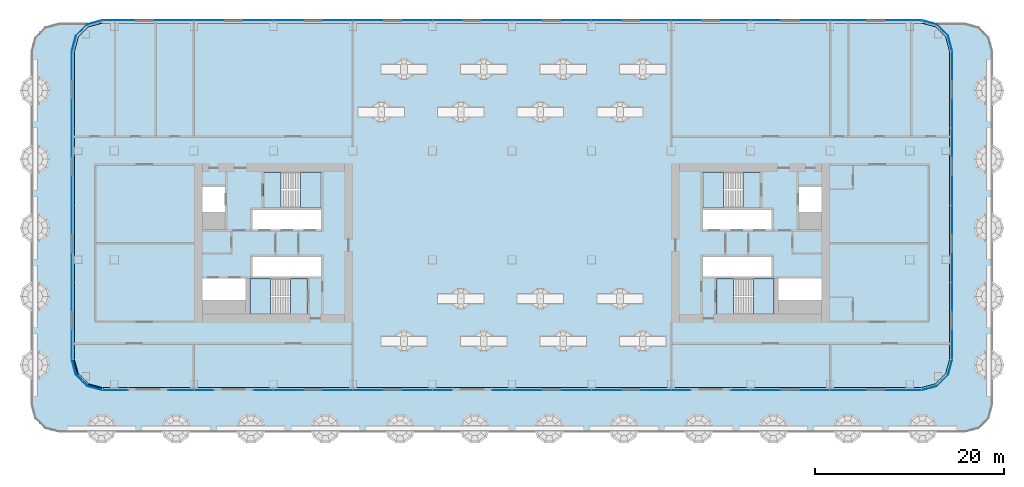
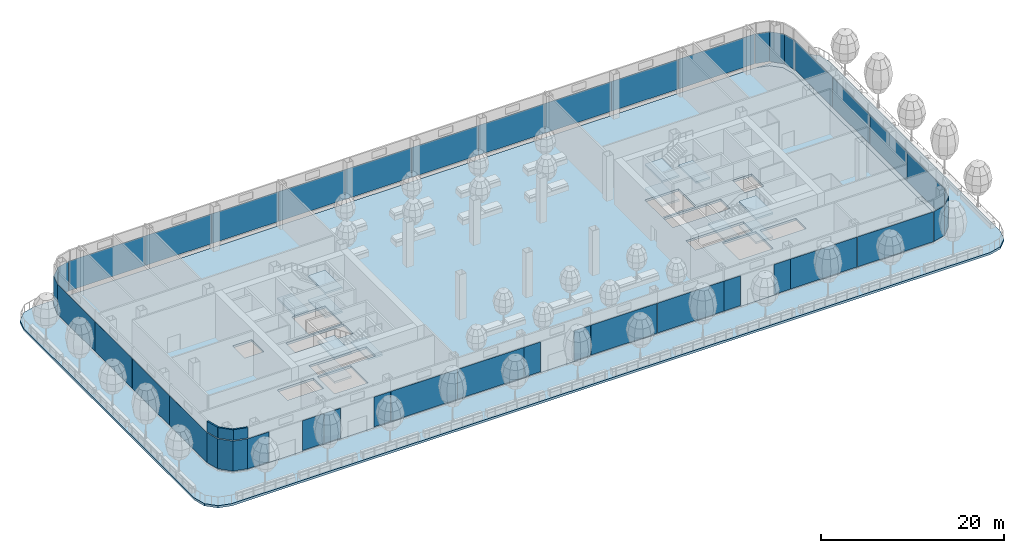
# One storey, part 11 of 44: 36 plates, 14 slabs, 3 walls, 12 elements without a shape of their own.
"""IFC4 building model written with IfcOpenShell, lengths in metres."""

from ifc_helpers import new_model, si_unit, direction, frame, frame_2d, origin, origin_2d, place, context, subcontext, project, spatial, polyline, rectangle, outline, extrude, material, layer, layer_set, type_object, element, aggregate, save


model = new_model("IFC4")

# Units and contexts
model_context = context("Model", 3, precision=1e-05, world=origin(), true_north=direction((0.0, 1.0)))
body_context = subcontext(model_context, "Body", "Model", "MODEL_VIEW")
ifc_project = project(units=[si_unit("LENGTHUNIT", "METRE"), si_unit("AREAUNIT", "SQUARE_METRE"), si_unit("VOLUMEUNIT", "CUBIC_METRE"), si_unit("PLANEANGLEUNIT", "RADIAN"), si_unit("MASSUNIT", "GRAM", prefix="KILO")], contexts=[model_context])

# Site, building, storey
site_placement = place(None, origin())
site = spatial("IfcSite", under=ifc_project, at=site_placement, CompositionType="ELEMENT")
building_placement = place(site_placement, origin())
building = spatial("IfcBuilding", under=site, at=building_placement, Name="Hakoniwa Tower and Hamabe Station Hall", CompositionType="ELEMENT")
storey_placement = place(building_placement, frame((0.0, 0.0, 69.0)))
storey = spatial("IfcBuildingStorey", under=building, at=storey_placement, Name="L19", CompositionType="ELEMENT", Elevation=69.0)

# Stair, slabs
ifc_material_1 = material(Name="Concrete C40", Category="concrete")
stair_type = type_object("IfcStairType", Name="ESCAPE STAIR 1800", PredefinedType="HALF_TURN_STAIR", material=ifc_material_1)
stair_1_placement = place(storey_placement, origin())
stair_1 = element("IfcStair", 1, at=stair_1_placement, inside=storey, type_object=stair_type, Name="Escape stair ST-1 L19", PredefinedType="HALF_TURN_STAIR")
ifc_material_2 = material(Name="Concrete C40", Category="concrete")
ifc_layer_1 = layer(ifc_material_2, 0.25)
ifc_layer_set_1 = layer_set([ifc_layer_1], Name="CORE STAIR LANDING 250")
slab_type_1 = type_object("IfcSlabType", Name="CORE STAIR LANDING 250", PredefinedType="LANDING", material=ifc_layer_set_1)
slab_1_placement = place(storey_placement, frame((0.0, 0.0, 1.35009765625)))
slab_1 = element("IfcSlab", 2, at=slab_1_placement, type_object=slab_type_1, Name="ST-1 landing 1", PredefinedType="LANDING", context=body_context, shape_type="SweptSolid", body=[
    extrude(outline(polyline([(-22.320068359375, 3.75), (-20.14990234375, 3.75), (-20.14990234375, 7.5), (-22.320068359375, 7.5), (-22.320068359375, 3.75)])), origin(), (0.0, 0.0, 1.0), 0.25),
])
slab_2_placement = place(storey_placement, frame((0.0, 0.0, 2.949951171875)))
slab_2 = element("IfcSlab", 3, at=slab_2_placement, type_object=slab_type_1, Name="ST-1 landing 2", PredefinedType="LANDING", context=body_context, shape_type="SweptSolid", body=[
    extrude(outline(polyline([(-26.199951171875, 3.75), (-24.39990234375, 3.75), (-24.39990234375, 7.5), (-26.199951171875, 7.5), (-26.199951171875, 3.75)])), origin(), (0.0, 0.0, 1.0), 0.25),
])
slab_3_placement = place(storey_placement, frame((0.0, 0.0, 4.550048828125)))
slab_3 = element("IfcSlab", 4, at=slab_3_placement, type_object=slab_type_1, Name="ST-1 landing 3", PredefinedType="LANDING", context=body_context, shape_type="SweptSolid", body=[
    extrude(outline(polyline([(-22.320068359375, 3.75), (-20.14990234375, 3.75), (-20.14990234375, 7.5), (-22.320068359375, 7.5), (-22.320068359375, 3.75)])), origin(), (0.0, 0.0, 1.0), 0.25),
])
aggregate(stair_1, [slab_1, slab_2, slab_3])

stair_2_placement = place(storey_placement, origin())
stair_2 = element("IfcStair", 5, at=stair_2_placement, inside=storey, type_object=stair_type, Name="Escape stair ST-2 L19", PredefinedType="HALF_TURN_STAIR")
slab_4_placement = place(storey_placement, frame((0.0, 0.0, 1.35009765625)))
slab_4 = element("IfcSlab", 6, at=slab_4_placement, type_object=slab_type_1, Name="ST-2 landing 1", PredefinedType="LANDING", context=body_context, shape_type="SweptSolid", body=[
    extrude(outline(polyline([(-25.47998046875, -7.5), (-27.64990234375, -7.5), (-27.64990234375, -3.75), (-25.47998046875, -3.75), (-25.47998046875, -7.5)])), origin(), (0.0, 0.0, 1.0), 0.25),
])
slab_5_placement = place(storey_placement, frame((0.0, 0.0, 2.949951171875)))
slab_5 = element("IfcSlab", 7, at=slab_5_placement, type_object=slab_type_1, Name="ST-2 landing 2", PredefinedType="LANDING", context=body_context, shape_type="SweptSolid", body=[
    extrude(outline(polyline([(-21.60009765625, -7.5), (-23.39990234375, -7.5), (-23.39990234375, -3.75), (-21.60009765625, -3.75), (-21.60009765625, -7.5)])), origin(), (0.0, 0.0, 1.0), 0.25),
])
slab_6_placement = place(storey_placement, frame((0.0, 0.0, 4.550048828125)))
slab_6 = element("IfcSlab", 8, at=slab_6_placement, type_object=slab_type_1, Name="ST-2 landing 3", PredefinedType="LANDING", context=body_context, shape_type="SweptSolid", body=[
    extrude(outline(polyline([(-25.47998046875, -7.5), (-27.64990234375, -7.5), (-27.64990234375, -3.75), (-25.47998046875, -3.75), (-25.47998046875, -7.5)])), origin(), (0.0, 0.0, 1.0), 0.25),
])
aggregate(stair_2, [slab_4, slab_5, slab_6])

stair_3_placement = place(storey_placement, origin())
stair_3 = element("IfcStair", 9, at=stair_3_placement, inside=storey, type_object=stair_type, Name="Escape stair ST-3 L19", PredefinedType="HALF_TURN_STAIR")
slab_7_placement = place(storey_placement, frame((0.0, 0.0, 1.35009765625)))
slab_7 = element("IfcSlab", 10, at=slab_7_placement, type_object=slab_type_1, Name="ST-3 landing 1", PredefinedType="LANDING", context=body_context, shape_type="SweptSolid", body=[
    extrude(outline(polyline([(22.320068359375, 3.75), (20.14990234375, 3.75), (20.14990234375, 7.5), (22.320068359375, 7.5), (22.320068359375, 3.75)])), origin(), (0.0, 0.0, 1.0), 0.25),
])
slab_8_placement = place(storey_placement, frame((0.0, 0.0, 2.949951171875)))
slab_8 = element("IfcSlab", 11, at=slab_8_placement, type_object=slab_type_1, Name="ST-3 landing 2", PredefinedType="LANDING", context=body_context, shape_type="SweptSolid", body=[
    extrude(outline(polyline([(26.199951171875, 3.75), (24.39990234375, 3.75), (24.39990234375, 7.5), (26.199951171875, 7.5), (26.199951171875, 3.75)])), origin(), (0.0, 0.0, 1.0), 0.25),
])
slab_9_placement = place(storey_placement, frame((0.0, 0.0, 4.550048828125)))
slab_9 = element("IfcSlab", 12, at=slab_9_placement, type_object=slab_type_1, Name="ST-3 landing 3", PredefinedType="LANDING", context=body_context, shape_type="SweptSolid", body=[
    extrude(outline(polyline([(22.320068359375, 3.75), (20.14990234375, 3.75), (20.14990234375, 7.5), (22.320068359375, 7.5), (22.320068359375, 3.75)])), origin(), (0.0, 0.0, 1.0), 0.25),
])
aggregate(stair_3, [slab_7, slab_8, slab_9])

stair_4_placement = place(storey_placement, origin())
stair_4 = element("IfcStair", 13, at=stair_4_placement, inside=storey, type_object=stair_type, Name="Escape stair ST-4 L19", PredefinedType="HALF_TURN_STAIR")
slab_10_placement = place(storey_placement, frame((0.0, 0.0, 1.35009765625)))
slab_10 = element("IfcSlab", 14, at=slab_10_placement, type_object=slab_type_1, Name="ST-4 landing 1", PredefinedType="LANDING", context=body_context, shape_type="SweptSolid", body=[
    extrude(outline(polyline([(25.47998046875, -7.5), (27.64990234375, -7.5), (27.64990234375, -3.75), (25.47998046875, -3.75), (25.47998046875, -7.5)])), origin(), (0.0, 0.0, 1.0), 0.25),
])
slab_11_placement = place(storey_placement, frame((0.0, 0.0, 2.949951171875)))
slab_11 = element("IfcSlab", 15, at=slab_11_placement, type_object=slab_type_1, Name="ST-4 landing 2", PredefinedType="LANDING", context=body_context, shape_type="SweptSolid", body=[
    extrude(outline(polyline([(21.60009765625, -7.5), (23.39990234375, -7.5), (23.39990234375, -3.75), (21.60009765625, -3.75), (21.60009765625, -7.5)])), origin(), (0.0, 0.0, 1.0), 0.25),
])
slab_12_placement = place(storey_placement, frame((0.0, 0.0, 4.550048828125)))
slab_12 = element("IfcSlab", 16, at=slab_12_placement, type_object=slab_type_1, Name="ST-4 landing 3", PredefinedType="LANDING", context=body_context, shape_type="SweptSolid", body=[
    extrude(outline(polyline([(25.47998046875, -7.5), (27.64990234375, -7.5), (27.64990234375, -3.75), (25.47998046875, -3.75), (25.47998046875, -7.5)])), origin(), (0.0, 0.0, 1.0), 0.25),
])
aggregate(stair_4, [slab_10, slab_11, slab_12])

# Curtain wall, plates
ifc_material_3 = material(Name="Dark low-e laminated glass", Category="glass")
ifc_layer_2 = layer(ifc_material_3, 0.199951171875)
ifc_layer_set_2 = layer_set([ifc_layer_2], Name="CW-2 SKY GARDEN")
curtain_wall_type = type_object("IfcCurtainWallType", Name="CW-2 SKY GARDEN", PredefinedType="NOTDEFINED", material=ifc_layer_set_2)
curtain_wall_1_placement = place(storey_placement, origin())
curtain_wall_1 = element("IfcCurtainWall", 17, at=curtain_wall_1_placement, inside=storey, type_object=curtain_wall_type, Name="CW-2 curtain wall", PredefinedType="NOTDEFINED")
ifc_material_4 = material(Name="Dark low-e laminated glass", Category="glass")
ifc_layer_3 = layer(ifc_material_4, 0.031982421875)
ifc_layer_set_3 = layer_set([ifc_layer_3], Name="CW-2 GARDEN GLASS UNIT")
plate_type = type_object("IfcPlateType", Name="CW-2 GARDEN GLASS UNIT", PredefinedType="CURTAIN_PANEL", material=ifc_layer_set_3)
plate_1_placement = place(storey_placement, frame((46.486083984375, -8.217041015625, 0.35009765625), z_axis=(0.0, 0.0, 1.0), x_axis=(0.0, 1.0, 0.0)))
plate_1 = element("IfcPlate", 18, at=plate_1_placement, type_object=plate_type, Name="CW-2 glass unit", PredefinedType="CURTAIN_PANEL", context=body_context, shape_type="SweptSolid", body=[
    extrude(rectangle(XDim=8.124755859375, YDim=0.031982421875, at=origin_2d()), origin(), (0.0, 0.0, 1.0), 3.97998046875),
])
plate_2_placement = place(storey_placement, frame((46.486083984375, -0.072265625, 0.35009765625), z_axis=(0.0, 0.0, 1.0), x_axis=(0.0, 1.0, 0.0)))
plate_2 = element("IfcPlate", 19, at=plate_2_placement, type_object=plate_type, Name="CW-2 glass unit", PredefinedType="CURTAIN_PANEL", context=body_context, shape_type="SweptSolid", body=[
    extrude(rectangle(XDim=8.124755859375, YDim=0.031982421875, at=origin_2d()), origin(), (0.0, 0.0, 1.0), 3.97998046875),
])
plate_3_placement = place(storey_placement, frame((46.486083984375, 8.072265625, 0.35009765625), z_axis=(0.0, 0.0, 1.0), x_axis=(0.0, 1.0, 0.0)))
plate_3 = element("IfcPlate", 20, at=plate_3_placement, type_object=plate_type, Name="CW-2 glass unit", PredefinedType="CURTAIN_PANEL", context=body_context, shape_type="SweptSolid", body=[
    extrude(rectangle(XDim=8.124755859375, YDim=0.031982421875, at=origin_2d()), origin(), (0.0, 0.0, 1.0), 3.97998046875),
])
plate_4_placement = place(storey_placement, frame((46.486083984375, 16.217041015625, 0.35009765625), z_axis=(0.0, 0.0, 1.0), x_axis=(0.0, 1.0, 0.0)))
plate_4 = element("IfcPlate", 21, at=plate_4_placement, type_object=plate_type, Name="CW-2 glass unit", PredefinedType="CURTAIN_PANEL", context=body_context, shape_type="SweptSolid", body=[
    extrude(rectangle(XDim=8.124755859375, YDim=0.031982421875, at=origin_2d()), origin(), (0.0, 0.0, 1.0), 3.97998046875),
])
aggregate(curtain_wall_1, [plate_1, plate_2, plate_3, plate_4])

# Curtain wall, plate
curtain_wall_2_placement = place(storey_placement, origin())
curtain_wall_2 = element("IfcCurtainWall", 22, at=curtain_wall_2_placement, inside=storey, type_object=curtain_wall_type, Name="CW-2 curtain wall", PredefinedType="NOTDEFINED")
plate_5_placement = place(storey_placement, frame((0.0, 0.0, 0.35009765625)))
plate_5 = element("IfcPlate", 23, at=plate_5_placement, type_object=plate_type, Name="CW-2 curved corner unit", PredefinedType="CURTAIN_PANEL", context=body_context, shape_type="SweptSolid", body=[
    extrude(outline(polyline([(46.48974609375, 20.328125), (46.067138671875, 21.9052734375), (44.855224609375, 23.116943359375), (43.278076171875, 23.53955078125), (43.27099609375, 23.5126953125), (44.8408203125, 23.092041015625), (46.0419921875, 21.890869140625), (46.462646484375, 20.32080078125), (46.48974609375, 20.328125)])), origin(), (0.0, 0.0, 1.0), 3.97998046875),
])
aggregate(curtain_wall_2, [plate_5])

# Curtain wall, plates
curtain_wall_3_placement = place(storey_placement, origin())
curtain_wall_3 = element("IfcCurtainWall", 24, at=curtain_wall_3_placement, inside=storey, type_object=curtain_wall_type, Name="CW-2 curtain wall", PredefinedType="NOTDEFINED")
plate_6_placement = place(storey_placement, frame((38.419677734375, 23.535888671875, 0.35009765625), z_axis=(0.0, 0.0, 1.0), x_axis=(-1.0, 0.0, 0.0)))
plate_6 = element("IfcPlate", 25, at=plate_6_placement, type_object=plate_type, Name="CW-2 glass unit", PredefinedType="CURTAIN_PANEL", context=body_context, shape_type="SweptSolid", body=[
    extrude(rectangle(XDim=9.619384765625, YDim=0.031982421875, at=origin_2d()), origin(), (0.0, 0.0, 1.0), 3.97998046875),
])
plate_7_placement = place(storey_placement, frame((29.39990234375, 23.535888671875, 0.35009765625), z_axis=(0.0, 0.0, 1.0), x_axis=(-1.0, 0.0, 0.0)))
plate_7 = element("IfcPlate", 26, at=plate_7_placement, type_object=plate_type, Name="CW-2 glass unit", PredefinedType="CURTAIN_PANEL", context=body_context, shape_type="SweptSolid", body=[
    extrude(rectangle(XDim=8.3798828125, YDim=0.031982421875, at=origin_2d()), origin(), (0.0, 0.0, 1.0), 3.97998046875),
])
plate_8_placement = place(storey_placement, frame((21.0, 23.535888671875, 0.35009765625), z_axis=(0.0, 0.0, 1.0), x_axis=(-1.0, 0.0, 0.0)))
plate_8 = element("IfcPlate", 27, at=plate_8_placement, type_object=plate_type, Name="CW-2 glass unit", PredefinedType="CURTAIN_PANEL", context=body_context, shape_type="SweptSolid", body=[
    extrude(rectangle(XDim=8.3798828125, YDim=0.031982421875, at=origin_2d()), origin(), (0.0, 0.0, 1.0), 3.97998046875),
])
plate_9_placement = place(storey_placement, frame((12.60009765625, 23.535888671875, 0.35009765625), z_axis=(0.0, 0.0, 1.0), x_axis=(-1.0, 0.0, 0.0)))
plate_9 = element("IfcPlate", 28, at=plate_9_placement, type_object=plate_type, Name="CW-2 glass unit", PredefinedType="CURTAIN_PANEL", context=body_context, shape_type="SweptSolid", body=[
    extrude(rectangle(XDim=8.3798828125, YDim=0.031982421875, at=origin_2d()), origin(), (0.0, 0.0, 1.0), 3.97998046875),
])
plate_10_placement = place(storey_placement, frame((4.199951171875, 23.535888671875, 0.35009765625), z_axis=(0.0, 0.0, 1.0), x_axis=(-1.0, 0.0, 0.0)))
plate_10 = element("IfcPlate", 29, at=plate_10_placement, type_object=plate_type, Name="CW-2 glass unit", PredefinedType="CURTAIN_PANEL", context=body_context, shape_type="SweptSolid", body=[
    extrude(rectangle(XDim=8.3798828125, YDim=0.031982421875, at=origin_2d()), origin(), (0.0, 0.0, 1.0), 3.97998046875),
])
plate_11_placement = place(storey_placement, frame((-4.199951171875, 23.535888671875, 0.35009765625), z_axis=(0.0, 0.0, 1.0), x_axis=(-1.0, 0.0, 0.0)))
plate_11 = element("IfcPlate", 30, at=plate_11_placement, type_object=plate_type, Name="CW-2 glass unit", PredefinedType="CURTAIN_PANEL", context=body_context, shape_type="SweptSolid", body=[
    extrude(rectangle(XDim=8.3798828125, YDim=0.031982421875, at=origin_2d()), origin(), (0.0, 0.0, 1.0), 3.97998046875),
])
plate_12_placement = place(storey_placement, frame((-12.60009765625, 23.535888671875, 0.35009765625), z_axis=(0.0, 0.0, 1.0), x_axis=(-1.0, 0.0, 0.0)))
plate_12 = element("IfcPlate", 31, at=plate_12_placement, type_object=plate_type, Name="CW-2 glass unit", PredefinedType="CURTAIN_PANEL", context=body_context, shape_type="SweptSolid", body=[
    extrude(rectangle(XDim=8.3798828125, YDim=0.031982421875, at=origin_2d()), origin(), (0.0, 0.0, 1.0), 3.97998046875),
])
plate_13_placement = place(storey_placement, frame((-21.0, 23.535888671875, 0.35009765625), z_axis=(0.0, 0.0, 1.0), x_axis=(-1.0, 0.0, 0.0)))
plate_13 = element("IfcPlate", 32, at=plate_13_placement, type_object=plate_type, Name="CW-2 glass unit", PredefinedType="CURTAIN_PANEL", context=body_context, shape_type="SweptSolid", body=[
    extrude(rectangle(XDim=8.3798828125, YDim=0.031982421875, at=origin_2d()), origin(), (0.0, 0.0, 1.0), 3.97998046875),
])
plate_14_placement = place(storey_placement, frame((-29.39990234375, 23.535888671875, 0.35009765625), z_axis=(0.0, 0.0, 1.0), x_axis=(-1.0, 0.0, 0.0)))
plate_14 = element("IfcPlate", 33, at=plate_14_placement, type_object=plate_type, Name="CW-2 glass unit", PredefinedType="CURTAIN_PANEL", context=body_context, shape_type="SweptSolid", body=[
    extrude(rectangle(XDim=8.3798828125, YDim=0.031982421875, at=origin_2d()), origin(), (0.0, 0.0, 1.0), 3.97998046875),
])
plate_15_placement = place(storey_placement, frame((-38.419677734375, 23.535888671875, 0.35009765625), z_axis=(0.0, 0.0, 1.0), x_axis=(-1.0, 0.0, 0.0)))
plate_15 = element("IfcPlate", 34, at=plate_15_placement, type_object=plate_type, Name="CW-2 glass unit", PredefinedType="CURTAIN_PANEL", context=body_context, shape_type="SweptSolid", body=[
    extrude(rectangle(XDim=9.619384765625, YDim=0.031982421875, at=origin_2d()), origin(), (0.0, 0.0, 1.0), 3.97998046875),
])
aggregate(curtain_wall_3, [plate_6, plate_7, plate_8, plate_9, plate_10, plate_11, plate_12, plate_13, plate_14, plate_15])

# Curtain wall, plate
curtain_wall_4_placement = place(storey_placement, origin())
curtain_wall_4 = element("IfcCurtainWall", 35, at=curtain_wall_4_placement, inside=storey, type_object=curtain_wall_type, Name="CW-2 curtain wall", PredefinedType="NOTDEFINED")
plate_16_placement = place(storey_placement, frame((0.0, 0.0, 0.35009765625)))
plate_16 = element("IfcPlate", 36, at=plate_16_placement, type_object=plate_type, Name="CW-2 curved corner unit", PredefinedType="CURTAIN_PANEL", context=body_context, shape_type="SweptSolid", body=[
    extrude(outline(polyline([(-43.278076171875, 23.53955078125), (-44.855224609375, 23.116943359375), (-46.067138671875, 21.9052734375), (-46.48974609375, 20.328125), (-46.462646484375, 20.32080078125), (-46.0419921875, 21.890869140625), (-44.8408203125, 23.092041015625), (-43.27099609375, 23.5126953125), (-43.278076171875, 23.53955078125)])), origin(), (0.0, 0.0, 1.0), 3.97998046875),
])
aggregate(curtain_wall_4, [plate_16])

# Curtain wall, plates
curtain_wall_5_placement = place(storey_placement, origin())
curtain_wall_5 = element("IfcCurtainWall", 37, at=curtain_wall_5_placement, inside=storey, type_object=curtain_wall_type, Name="CW-2 curtain wall", PredefinedType="NOTDEFINED")
plate_17_placement = place(storey_placement, frame((-46.486083984375, 16.217041015625, 0.35009765625), z_axis=(0.0, 0.0, 1.0), x_axis=(0.0, -1.0, 0.0)))
plate_17 = element("IfcPlate", 38, at=plate_17_placement, type_object=plate_type, Name="CW-2 glass unit", PredefinedType="CURTAIN_PANEL", context=body_context, shape_type="SweptSolid", body=[
    extrude(rectangle(XDim=8.124755859375, YDim=0.031982421875, at=origin_2d()), origin(), (0.0, 0.0, 1.0), 3.97998046875),
])
plate_18_placement = place(storey_placement, frame((-46.486083984375, 8.072265625, 0.35009765625), z_axis=(0.0, 0.0, 1.0), x_axis=(0.0, -1.0, 0.0)))
plate_18 = element("IfcPlate", 39, at=plate_18_placement, type_object=plate_type, Name="CW-2 glass unit", PredefinedType="CURTAIN_PANEL", context=body_context, shape_type="SweptSolid", body=[
    extrude(rectangle(XDim=8.124755859375, YDim=0.031982421875, at=origin_2d()), origin(), (0.0, 0.0, 1.0), 3.97998046875),
])
plate_19_placement = place(storey_placement, frame((-46.486083984375, -0.072265625, 0.35009765625), z_axis=(0.0, 0.0, 1.0), x_axis=(0.0, -1.0, 0.0)))
plate_19 = element("IfcPlate", 40, at=plate_19_placement, type_object=plate_type, Name="CW-2 glass unit", PredefinedType="CURTAIN_PANEL", context=body_context, shape_type="SweptSolid", body=[
    extrude(rectangle(XDim=8.124755859375, YDim=0.031982421875, at=origin_2d()), origin(), (0.0, 0.0, 1.0), 3.97998046875),
])
plate_20_placement = place(storey_placement, frame((-46.486083984375, -8.217041015625, 0.35009765625), z_axis=(0.0, 0.0, 1.0), x_axis=(0.0, -1.0, 0.0)))
plate_20 = element("IfcPlate", 41, at=plate_20_placement, type_object=plate_type, Name="CW-2 glass unit", PredefinedType="CURTAIN_PANEL", context=body_context, shape_type="SweptSolid", body=[
    extrude(rectangle(XDim=8.124755859375, YDim=0.031982421875, at=origin_2d()), origin(), (0.0, 0.0, 1.0), 3.97998046875),
])
aggregate(curtain_wall_5, [plate_17, plate_18, plate_19, plate_20])

# Curtain wall, plate
curtain_wall_6_placement = place(storey_placement, origin())
curtain_wall_6 = element("IfcCurtainWall", 42, at=curtain_wall_6_placement, inside=storey, type_object=curtain_wall_type, Name="CW-2 curtain wall", PredefinedType="NOTDEFINED")
plate_21_placement = place(storey_placement, frame((0.0, 0.0, 0.35009765625)))
plate_21 = element("IfcPlate", 43, at=plate_21_placement, type_object=plate_type, Name="CW-2 curved corner unit", PredefinedType="CURTAIN_PANEL", context=body_context, shape_type="SweptSolid", body=[
    extrude(outline(polyline([(-46.48974609375, -12.328125), (-46.067138671875, -13.9052734375), (-44.855224609375, -15.116943359375), (-43.278076171875, -15.53955078125), (-43.27099609375, -15.5126953125), (-44.8408203125, -15.092041015625), (-46.0419921875, -13.890869140625), (-46.462646484375, -12.32080078125), (-46.48974609375, -12.328125)])), origin(), (0.0, 0.0, 1.0), 3.97998046875),
])

# Curtain wall, plates
curtain_wall_7_placement = place(storey_placement, origin())
curtain_wall_7 = element("IfcCurtainWall", 44, at=curtain_wall_7_placement, inside=storey, type_object=curtain_wall_type, Name="CW-2 curtain wall", PredefinedType="NOTDEFINED")
plate_22_placement = place(storey_placement, frame((-41.879638671875, -15.535888671875, 0.35009765625), z_axis=(0.0, 0.0, 1.0), x_axis=(1.0, 0.0, 0.0)))
plate_22 = element("IfcPlate", 45, at=plate_22_placement, type_object=plate_type, Name="CW-2 glass unit", PredefinedType="CURTAIN_PANEL", context=body_context, shape_type="SweptSolid", body=[
    extrude(rectangle(XDim=2.69970703125, YDim=0.031982421875, at=origin_2d()), origin(), (0.0, 0.0, 1.0), 3.97998046875),
])
plate_23_placement = place(storey_placement, frame((-34.9599609375, -15.535888671875, 0.35009765625), z_axis=(0.0, 0.0, 1.0), x_axis=(1.0, 0.0, 0.0)))
plate_23 = element("IfcPlate", 46, at=plate_23_placement, type_object=plate_type, Name="CW-2 glass unit", PredefinedType="CURTAIN_PANEL", context=body_context, shape_type="SweptSolid", body=[
    extrude(rectangle(XDim=2.69970703125, YDim=0.031982421875, at=origin_2d()), origin(), (0.0, 0.0, 1.0), 3.97998046875),
])
plate_24_placement = place(storey_placement, frame((-32.550048828125, -15.535888671875, 0.35009765625), z_axis=(0.0, 0.0, 1.0), x_axis=(1.0, 0.0, 0.0)))
plate_24 = element("IfcPlate", 47, at=plate_24_placement, type_object=plate_type, Name="CW-2 glass unit", PredefinedType="CURTAIN_PANEL", context=body_context, shape_type="SweptSolid", body=[
    extrude(rectangle(XDim=2.080078125, YDim=0.031982421875, at=origin_2d()), origin(), (0.0, 0.0, 1.0), 3.97998046875),
])
plate_25_placement = place(storey_placement, frame((-26.25, -15.535888671875, 0.35009765625), z_axis=(0.0, 0.0, 1.0), x_axis=(1.0, 0.0, 0.0)))
plate_25 = element("IfcPlate", 48, at=plate_25_placement, type_object=plate_type, Name="CW-2 glass unit", PredefinedType="CURTAIN_PANEL", context=body_context, shape_type="SweptSolid", body=[
    extrude(rectangle(XDim=2.080078125, YDim=0.031982421875, at=origin_2d()), origin(), (0.0, 0.0, 1.0), 3.97998046875),
])
plate_26_placement = place(storey_placement, frame((-21.0, -15.535888671875, 0.35009765625), z_axis=(0.0, 0.0, 1.0), x_axis=(1.0, 0.0, 0.0)))
plate_26 = element("IfcPlate", 49, at=plate_26_placement, type_object=plate_type, Name="CW-2 glass unit", PredefinedType="CURTAIN_PANEL", context=body_context, shape_type="SweptSolid", body=[
    extrude(rectangle(XDim=8.3798828125, YDim=0.031982421875, at=origin_2d()), origin(), (0.0, 0.0, 1.0), 3.97998046875),
])
plate_27_placement = place(storey_placement, frame((-12.60009765625, -15.535888671875, 0.35009765625), z_axis=(0.0, 0.0, 1.0), x_axis=(1.0, 0.0, 0.0)))
plate_27 = element("IfcPlate", 50, at=plate_27_placement, type_object=plate_type, Name="CW-2 glass unit", PredefinedType="CURTAIN_PANEL", context=body_context, shape_type="SweptSolid", body=[
    extrude(rectangle(XDim=8.3798828125, YDim=0.031982421875, at=origin_2d()), origin(), (0.0, 0.0, 1.0), 3.97998046875),
])
plate_28_placement = place(storey_placement, frame((-7.35009765625, -15.535888671875, 0.35009765625), z_axis=(0.0, 0.0, 1.0), x_axis=(1.0, 0.0, 0.0)))
plate_28 = element("IfcPlate", 51, at=plate_28_placement, type_object=plate_type, Name="CW-2 glass unit", PredefinedType="CURTAIN_PANEL", context=body_context, shape_type="SweptSolid", body=[
    extrude(rectangle(XDim=2.080078125, YDim=0.031982421875, at=origin_2d()), origin(), (0.0, 0.0, 1.0), 3.97998046875),
])
plate_29_placement = place(storey_placement, frame((-1.050048828125, -15.535888671875, 0.35009765625), z_axis=(0.0, 0.0, 1.0), x_axis=(1.0, 0.0, 0.0)))
plate_29 = element("IfcPlate", 52, at=plate_29_placement, type_object=plate_type, Name="CW-2 glass unit", PredefinedType="CURTAIN_PANEL", context=body_context, shape_type="SweptSolid", body=[
    extrude(rectangle(XDim=2.080078125, YDim=0.031982421875, at=origin_2d()), origin(), (0.0, 0.0, 1.0), 3.97998046875),
])
plate_30_placement = place(storey_placement, frame((4.199951171875, -15.535888671875, 0.35009765625), z_axis=(0.0, 0.0, 1.0), x_axis=(1.0, 0.0, 0.0)))
plate_30 = element("IfcPlate", 53, at=plate_30_placement, type_object=plate_type, Name="CW-2 glass unit", PredefinedType="CURTAIN_PANEL", context=body_context, shape_type="SweptSolid", body=[
    extrude(rectangle(XDim=8.3798828125, YDim=0.031982421875, at=origin_2d()), origin(), (0.0, 0.0, 1.0), 3.97998046875),
])
plate_31_placement = place(storey_placement, frame((12.60009765625, -15.535888671875, 0.35009765625), z_axis=(0.0, 0.0, 1.0), x_axis=(1.0, 0.0, 0.0)))
plate_31 = element("IfcPlate", 54, at=plate_31_placement, type_object=plate_type, Name="CW-2 glass unit", PredefinedType="CURTAIN_PANEL", context=body_context, shape_type="SweptSolid", body=[
    extrude(rectangle(XDim=8.3798828125, YDim=0.031982421875, at=origin_2d()), origin(), (0.0, 0.0, 1.0), 3.97998046875),
])
plate_32_placement = place(storey_placement, frame((17.85009765625, -15.535888671875, 0.35009765625), z_axis=(0.0, 0.0, 1.0), x_axis=(1.0, 0.0, 0.0)))
plate_32 = element("IfcPlate", 55, at=plate_32_placement, type_object=plate_type, Name="CW-2 glass unit", PredefinedType="CURTAIN_PANEL", context=body_context, shape_type="SweptSolid", body=[
    extrude(rectangle(XDim=2.080078125, YDim=0.031982421875, at=origin_2d()), origin(), (0.0, 0.0, 1.0), 3.97998046875),
])
plate_33_placement = place(storey_placement, frame((24.14990234375, -15.535888671875, 0.35009765625), z_axis=(0.0, 0.0, 1.0), x_axis=(1.0, 0.0, 0.0)))
plate_33 = element("IfcPlate", 56, at=plate_33_placement, type_object=plate_type, Name="CW-2 glass unit", PredefinedType="CURTAIN_PANEL", context=body_context, shape_type="SweptSolid", body=[
    extrude(rectangle(XDim=2.080078125, YDim=0.031982421875, at=origin_2d()), origin(), (0.0, 0.0, 1.0), 3.97998046875),
])
plate_34_placement = place(storey_placement, frame((29.39990234375, -15.535888671875, 0.35009765625), z_axis=(0.0, 0.0, 1.0), x_axis=(1.0, 0.0, 0.0)))
plate_34 = element("IfcPlate", 57, at=plate_34_placement, type_object=plate_type, Name="CW-2 glass unit", PredefinedType="CURTAIN_PANEL", context=body_context, shape_type="SweptSolid", body=[
    extrude(rectangle(XDim=8.3798828125, YDim=0.031982421875, at=origin_2d()), origin(), (0.0, 0.0, 1.0), 3.97998046875),
])
plate_35_placement = place(storey_placement, frame((38.419677734375, -15.535888671875, 0.35009765625), z_axis=(0.0, 0.0, 1.0), x_axis=(1.0, 0.0, 0.0)))
plate_35 = element("IfcPlate", 58, at=plate_35_placement, type_object=plate_type, Name="CW-2 glass unit", PredefinedType="CURTAIN_PANEL", context=body_context, shape_type="SweptSolid", body=[
    extrude(rectangle(XDim=9.619384765625, YDim=0.031982421875, at=origin_2d()), origin(), (0.0, 0.0, 1.0), 3.97998046875),
])
aggregate(curtain_wall_7, [plate_22, plate_23, plate_24, plate_25, plate_26, plate_27, plate_28, plate_29, plate_30, plate_31, plate_32, plate_33, plate_34, plate_35])

# Curtain wall, plate
curtain_wall_8_placement = place(storey_placement, origin())
curtain_wall_8 = element("IfcCurtainWall", 59, at=curtain_wall_8_placement, inside=storey, type_object=curtain_wall_type, Name="CW-2 curtain wall", PredefinedType="NOTDEFINED")
plate_36_placement = place(storey_placement, frame((0.0, 0.0, 0.35009765625)))
plate_36 = element("IfcPlate", 60, at=plate_36_placement, type_object=plate_type, Name="CW-2 curved corner unit", PredefinedType="CURTAIN_PANEL", context=body_context, shape_type="SweptSolid", body=[
    extrude(outline(polyline([(43.278076171875, -15.53955078125), (44.855224609375, -15.116943359375), (46.067138671875, -13.9052734375), (46.48974609375, -12.328125), (46.462646484375, -12.32080078125), (46.0419921875, -13.890869140625), (44.8408203125, -15.092041015625), (43.27099609375, -15.5126953125), (43.278076171875, -15.53955078125)])), origin(), (0.0, 0.0, 1.0), 3.97998046875),
])
aggregate(curtain_wall_8, [plate_36])

# Slabs
ifc_material_5 = material(Name="Concrete C40", Category="concrete")
ifc_layer_4 = layer(ifc_material_5, 0.300048828125)
ifc_layer_set_4 = layer_set([ifc_layer_4], Name="GARDEN FLOOR SLAB 300")
slab_type_2 = type_object("IfcSlabType", Name="GARDEN FLOOR SLAB 300", PredefinedType="FLOOR", material=ifc_layer_set_4)
slab_13_placement = place(storey_placement, frame((0.0, 0.0, -0.300048828125)))
element("IfcSlab", 61, at=slab_13_placement, inside=storey, type_object=slab_type_2, Name="Floor slab L19", PredefinedType="FLOOR", context=body_context, shape_type="SweptSolid", body=[
    extrude(outline(polyline([(46.199951171875, -12.25), (46.199951171875, 20.25), (45.798095703125, 21.75), (44.699951171875, 22.84814453125), (43.199951171875, 23.25), (-43.199951171875, 23.25), (-44.699951171875, 22.84814453125), (-45.798095703125, 21.75), (-46.199951171875, 20.25), (-46.199951171875, -12.25), (-45.798095703125, -13.75), (-44.699951171875, -14.84814453125), (-43.199951171875, -15.25), (43.199951171875, -15.25), (44.699951171875, -14.84814453125), (45.798095703125, -13.75), (46.199951171875, -12.25)]), holes=[polyline([(-27.39990234375, 1.449951171875), (-27.39990234375, 3.5), (-20.14990234375, 3.5), (-20.14990234375, 1.449951171875), (-27.39990234375, 1.449951171875)]), polyline([(-27.39990234375, -3.5), (-27.39990234375, -1.449951171875), (-20.14990234375, -1.449951171875), (-20.14990234375, -3.5), (-27.39990234375, -3.5)]), polyline([(-32.699951171875, 3.300048828125), (-32.699951171875, 5.949951171875), (-30.300048828125, 5.949951171875), (-30.300048828125, 3.300048828125), (-32.699951171875, 3.300048828125)]), polyline([(-32.699951171875, -6.0), (-32.699951171875, -3.75), (-28.14990234375, -3.75), (-28.14990234375, -6.0), (-32.699951171875, -6.0)]), polyline([(-24.389892578125, 3.75), (-24.389892578125, 7.5), (-20.14990234375, 7.5), (-20.14990234375, 3.75), (-24.389892578125, 3.75)]), polyline([(-27.64990234375, -7.5), (-27.64990234375, -3.75), (-23.409912109375, -3.75), (-23.409912109375, -7.5), (-27.64990234375, -7.5)]), polyline([(20.14990234375, 1.449951171875), (20.14990234375, 3.5), (27.39990234375, 3.5), (27.39990234375, 1.449951171875), (20.14990234375, 1.449951171875)]), polyline([(20.14990234375, -3.5), (20.14990234375, -1.449951171875), (27.39990234375, -1.449951171875), (27.39990234375, -3.5), (20.14990234375, -3.5)]), polyline([(30.300048828125, 3.300048828125), (30.300048828125, 5.949951171875), (32.699951171875, 5.949951171875), (32.699951171875, 3.300048828125), (30.300048828125, 3.300048828125)]), polyline([(28.14990234375, -6.0), (28.14990234375, -3.75), (32.699951171875, -3.75), (32.699951171875, -6.0), (28.14990234375, -6.0)]), polyline([(20.14990234375, 3.75), (20.14990234375, 7.5), (24.389892578125, 7.5), (24.389892578125, 3.75), (20.14990234375, 3.75)]), polyline([(23.409912109375, -7.5), (23.409912109375, -3.75), (27.64990234375, -3.75), (27.64990234375, -7.5), (23.409912109375, -7.5)])]), origin(), (0.0, 0.0, 1.0), 0.300048828125),
])
ifc_material_6 = material(Name="Concrete C40", Category="concrete")
ifc_layer_5 = layer(ifc_material_6, 0.300048828125)
ifc_layer_set_5 = layer_set([ifc_layer_5], Name="TERRACE SLAB 300")
slab_type_3 = type_object("IfcSlabType", Name="TERRACE SLAB 300", PredefinedType="FLOOR", material=ifc_layer_set_5)
slab_14_placement = place(storey_placement, frame((0.0, 0.0, -0.300048828125)))
element("IfcSlab", 62, at=slab_14_placement, inside=storey, type_object=slab_type_3, Name="Terrace slab L19-1", PredefinedType="FLOOR", context=body_context, shape_type="SweptSolid", body=[
    extrude(outline(polyline([(-45.798095703125, -13.75), (-46.199951171875, -12.25), (-46.199951171875, 20.25), (-45.798095703125, 21.75), (-44.699951171875, 22.84814453125), (-43.20361328125, 23.2490234375), (-43.202880859375, 23.25), (-43.203857421875, 23.2509765625), (-47.800048828125, 23.2509765625), (-49.30029296875, 22.84912109375), (-50.39892578125, 21.75048828125), (-50.801025390625, 20.250244140625), (-50.801025390625, -17.0), (-50.39892578125, -18.50048828125), (-49.300537109375, -19.59912109375), (-47.800048828125, -20.0009765625), (47.800048828125, -20.0009765625), (49.30029296875, -19.59912109375), (50.39892578125, -18.50048828125), (50.801025390625, -17.0), (50.801025390625, 20.25), (50.39892578125, 21.75048828125), (49.300537109375, 22.848876953125), (47.80029296875, 23.2509765625), (43.203857421875, 23.2509765625), (43.202880859375, 23.250244140625), (43.20361328125, 23.2490234375), (44.699951171875, 22.84814453125), (45.798095703125, 21.75), (46.199951171875, 20.25), (46.199951171875, -12.25), (45.798095703125, -13.75), (44.699951171875, -14.84814453125), (43.199951171875, -15.25), (-43.199951171875, -15.25), (-44.699951171875, -14.84814453125), (-45.798095703125, -13.75)])), origin(), (0.0, 0.0, 1.0), 0.300048828125),
])

# Wall
ifc_material_7 = material(Name="Dark glass-faced aluminium panel", Category="aluminium")
ifc_layer_6 = layer(ifc_material_7, 0.199951171875)
ifc_layer_set_6 = layer_set([ifc_layer_6], Name="VENT BAND WALL")
wall_type = type_object("IfcWallType", Name="VENT BAND WALL", PredefinedType="NOTDEFINED", material=ifc_layer_set_6)
wall_1_placement = place(storey_placement, frame((-46.395751953125, -12.29248046875, 4.449951171875), z_axis=(0.0, 0.0, 1.0), x_axis=(0.258864833081, -0.965913556274, 0.0)))
wall_1 = element("IfcWall", 63, at=wall_1_placement, type_object=wall_type, Name="Vent band wall", PredefinedType="NOTDEFINED", context=body_context, shape_type="SweptSolid", body=[
    extrude(rectangle(XDim=1.642822265625, YDim=0.199951171875, at=frame_2d((0.8212890625, 0.0))), origin(), (0.0, 0.0, 1.0), 1.400146484375),
])

wall_2_placement = place(storey_placement, frame((-45.970458984375, -13.87939453125, 4.449951171875), z_axis=(0.0, 0.0, 1.0), x_axis=(0.707106781187, -0.707106781187, 0.0)))
wall_2 = element("IfcWall", 64, at=wall_2_placement, type_object=wall_type, Name="Vent band wall", PredefinedType="NOTDEFINED", context=body_context, shape_type="SweptSolid", body=[
    extrude(rectangle(XDim=1.713623046875, YDim=0.199951171875, at=frame_2d((0.85693359375, 0.0))), origin(), (0.0, 0.0, 1.0), 1.400146484375),
])

wall_3_placement = place(storey_placement, frame((-44.78466796875, -15.04638671875, 4.449951171875), z_axis=(0.0, 0.0, 1.0), x_axis=(0.965950704374, -0.258726180971, 0.0)))
wall_3 = element("IfcWall", 65, at=wall_3_placement, type_object=wall_type, Name="Vent band wall", PredefinedType="NOTDEFINED", context=body_context, shape_type="SweptSolid", body=[
    extrude(rectangle(XDim=1.642822265625, YDim=0.199951171875, at=frame_2d((0.8212890625, 0.0))), origin(), (0.0, 0.0, 1.0), 1.400146484375),
])

aggregate(curtain_wall_6, [plate_21, wall_1, wall_2, wall_3])

save(model, "model.ifc")
